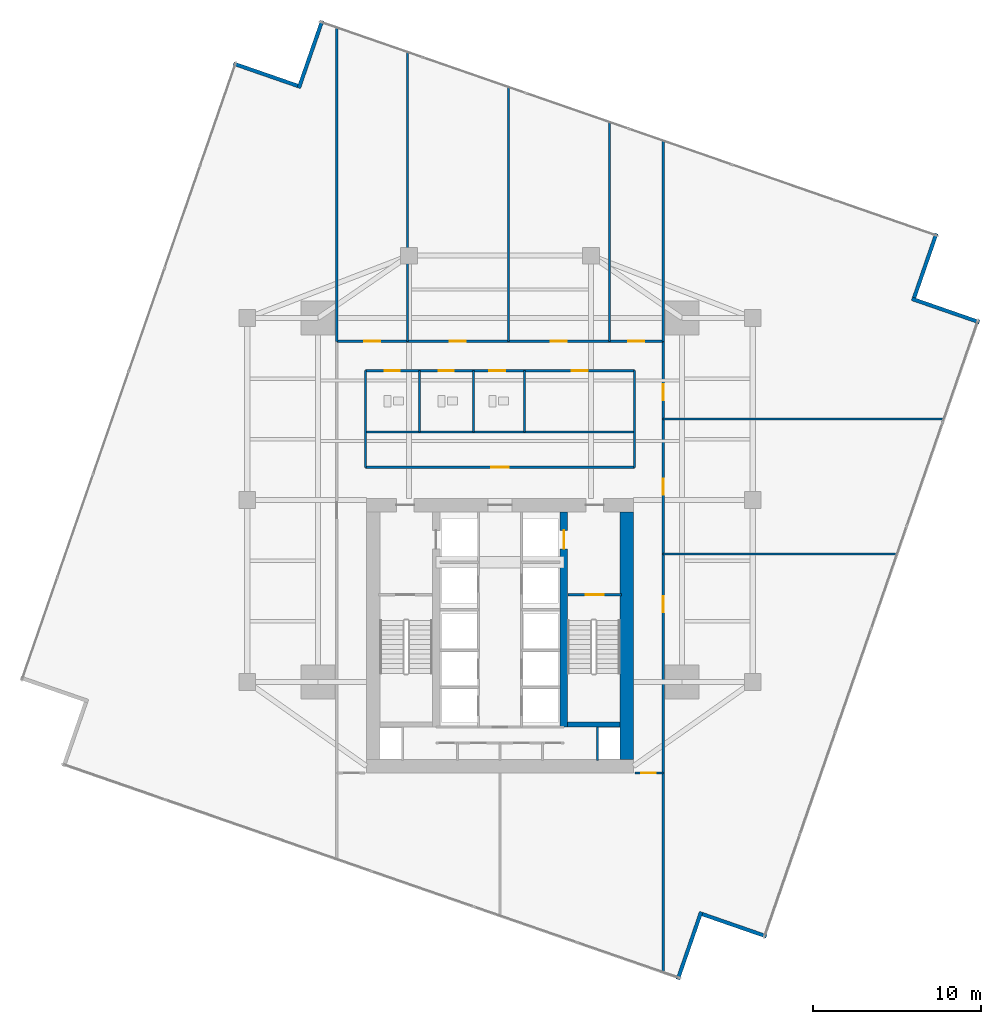
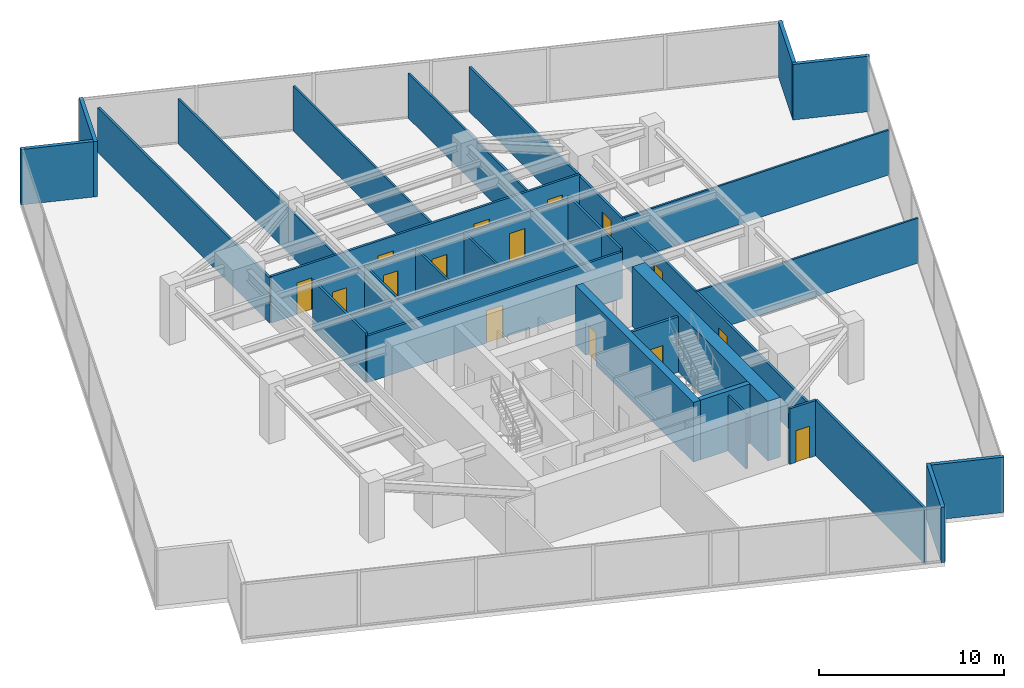
# One storey, part 24 of 27: 30 walls, 15 doors, 15 openings.
"""IFC4 building model written with IfcOpenShell, lengths in metres."""

import ifcopenshell
import ifcopenshell.guid

model = None  # the IFC model being written
_history = None  # IfcOwnerHistory: only IFC2X3 demands one
_inside = {}  # id of a spatial element -> (the spatial element, [elements in it])
_under = {}  # id of a project, library or spatial element -> (it, [spatial elements below it])
_declared = {}  # id of a project -> (the project, [libraries it declares])
_typed = {}  # id of a type object -> (the type object, [elements of that type])
_made_of = {}  # id of a material, layer set ... -> (it, [elements and type objects made of it])


def new_model(schema):
    """Start an empty IFC model of exactly this schema.

    Asked for "IFC4X3", IfcOpenShell would pick the latest addendum, in which some entities
    have other attributes; the version numbers below select the first issue.
    IFC2X3 requires an IfcOwnerHistory on every rooted entity: one is made here for all.
    """
    global model, _history
    if schema == "IFC4X3":
        model = ifcopenshell.file(schema_version=(4, 3, 0, 0))
    else:
        model = ifcopenshell.file(schema=schema)
    _inside.clear()
    _under.clear()
    _declared.clear()
    _typed.clear()
    _made_of.clear()
    _history = None
    if model.schema == "IFC2X3":
        org = make("IfcOrganization", Name="unknown")
        user = make(
            "IfcPersonAndOrganization",
            ThePerson=make("IfcPerson", FamilyName="unknown"),
            TheOrganization=org,
        )
        app = make(
            "IfcApplication",
            ApplicationDeveloper=org,
            Version="unknown",
            ApplicationFullName="unknown",
            ApplicationIdentifier="unknown",
        )
        _history = make(
            "IfcOwnerHistory",
            OwningUser=user,
            OwningApplication=app,
            ChangeAction="ADDED",
            CreationDate=0,
        )
    return model


def make(cls, **values):
    """One entity of the class cls with the attributes given. An attribute that is None is left unset."""
    return model.create_entity(
        cls, **{name: value for name, value in values.items() if value is not None}
    )


def rooted(cls, **values):
    """An entity with a GlobalId (a new one), such as an element, a storey or a relation."""
    return make(cls, GlobalId=ifcopenshell.guid.new(), OwnerHistory=_history, **values)


def si_unit(unit_type, name, prefix=None):
    """IfcSIUnit, for example si_unit("LENGTHUNIT", "METRE", prefix="MILLI")."""
    return make("IfcSIUnit", UnitType=unit_type, Prefix=prefix, Name=name)


def assignment(units):
    """IfcUnitAssignment: the units of a project."""
    return None if units is None else make("IfcUnitAssignment", Units=units)


def point(xyz):
    """IfcCartesianPoint."""
    return None if xyz is None else make("IfcCartesianPoint", Coordinates=xyz)


def direction(xyz):
    """IfcDirection."""
    return None if xyz is None else make("IfcDirection", DirectionRatios=xyz)


def frame(location, z_axis=None, x_axis=None):
    """IfcAxis2Placement3D, a coordinate frame: its origin and axes. An axis left out is left unset."""
    return make(
        "IfcAxis2Placement3D",
        Location=point(location),
        Axis=direction(z_axis),
        RefDirection=direction(x_axis),
    )


def frame_2d(location, x_axis=None):
    """IfcAxis2Placement2D, a coordinate frame in the plane: its origin and x axis."""
    return make(
        "IfcAxis2Placement2D", Location=point(location), RefDirection=direction(x_axis)
    )


def origin():
    """The frame at (0, 0, 0) with its axes left unset."""
    return frame((0.0, 0.0, 0.0))


def place(relative_to, where):
    """IfcLocalPlacement: puts the frame where relative to a parent placement (None: the world)."""
    return make(
        "IfcLocalPlacement", PlacementRelTo=relative_to, RelativePlacement=where
    )


def context(
    kind, dimensions, precision=None, world=None, true_north=None, identifier=None
):
    """IfcGeometricRepresentationContext, for example the 3D "Model" context."""
    return make(
        "IfcGeometricRepresentationContext",
        ContextIdentifier=identifier,
        ContextType=kind,
        CoordinateSpaceDimension=dimensions,
        Precision=precision,
        WorldCoordinateSystem=world,
        TrueNorth=true_north,
    )


def subcontext(parent, identifier, kind, view, scale=None):
    """IfcGeometricRepresentationSubContext, for example "Body" below "Model"."""
    return make(
        "IfcGeometricRepresentationSubContext",
        ContextIdentifier=identifier,
        ContextType=kind,
        ParentContext=parent,
        TargetScale=scale,
        TargetView=view,
    )


def project(units=None, contexts=None):
    """IfcProject with its units and contexts."""
    return rooted(
        "IfcProject",
        Name="project",
        RepresentationContexts=contexts,
        UnitsInContext=assignment(units),
    )


def spatial(cls, under=None, at=None, **own):
    """A site, building, storey or space (cls), placed at a placement, below another one or the project."""
    s = rooted(cls, ObjectPlacement=at, **own)
    if under is not None:
        _under.setdefault(under.id(), (under, []))[1].append(s)
    return s


def profile(cls, at=None, kind="AREA", **sizes):
    """A parametric profile (cls). Its sizes go by their IFC names, for example OverallWidth=200.0."""
    return make(cls, ProfileType=kind, Position=at, **sizes)


def rectangle(**sizes):
    """IfcRectangleProfileDef."""
    return profile("IfcRectangleProfileDef", **sizes)


def extrude(swept, where, along, depth):
    """IfcExtrudedAreaSolid: the profile swept, set in the frame where, extruded along a direction by depth."""
    return make(
        "IfcExtrudedAreaSolid",
        SweptArea=swept,
        Position=where,
        ExtrudedDirection=direction(along),
        Depth=depth,
    )


def shape(context_of_items, identifier, shape_type, items):
    """IfcShapeRepresentation: the items that make up one representation, for example the "Body"."""
    return make(
        "IfcShapeRepresentation",
        ContextOfItems=context_of_items,
        RepresentationIdentifier=identifier,
        RepresentationType=shape_type,
        Items=items,
    )


def material(Name=None, Category=None):
    """IfcMaterial."""
    return make("IfcMaterial", Name=Name, Category=Category)


def layer(
    of_material, thickness, ventilated=None, Name=None, Category=None, Priority=None
):
    """IfcMaterialLayer: one layer of a wall or slab, of a material (None: an air gap)."""
    return make(
        "IfcMaterialLayer",
        Material=of_material,
        LayerThickness=thickness,
        IsVentilated=ventilated,
        Name=Name,
        Category=Category,
        Priority=Priority,
    )


def layer_set(layers, Name=None):
    """IfcMaterialLayerSet."""
    return make("IfcMaterialLayerSet", MaterialLayers=layers, LayerSetName=Name)


def made_of(thing, what):
    """Note that an element or type object is made of a material, layer set ...; save() writes the relation."""
    if what is not None:
        _made_of.setdefault(what.id(), (what, []))[1].append(thing)
    return thing


def type_object(cls, material=None, **own):
    """A type object (cls), such as IfcWallType, which elements share."""
    return made_of(rooted(cls, **own), material)


def element(
    cls,
    number,
    at=None,
    inside=None,
    cuts=None,
    type_object=None,
    material=None,
    context=None,
    identifier="Body",
    shape_type=None,
    held_by="IfcProductDefinitionShape",
    body=None,
    shapes=None,
    **own,
):
    """One element of the class cls, such as IfcWall. Its Tag is "e" and its number.

    at: its placement. inside: the storey or other place that contains it. cuts: it is an
    opening in that element (IfcRelVoidsElement). A single representation is given by context,
    identifier, shape_type and body (its items); several are given by shapes. held_by: the class
    of the entity that holds the representations. save() writes the other relations.
    """
    e = rooted(cls, Tag="e%d" % number, ObjectPlacement=at, **own)
    if body is not None:
        shapes = [shape(context, identifier, shape_type, body)]
    if shapes is not None:
        e.Representation = make(held_by, Representations=shapes)
    if inside is not None:
        _inside.setdefault(inside.id(), (inside, []))[1].append(e)
    if cuts is not None:
        rooted(
            "IfcRelVoidsElement", RelatingBuildingElement=cuts, RelatedOpeningElement=e
        )
    if type_object is not None:
        _typed.setdefault(type_object.id(), (type_object, []))[1].append(e)
    return made_of(e, material)


def fill(opening, filler):
    """IfcRelFillsElement: the door or window that sits in an opening."""
    return rooted(
        "IfcRelFillsElement",
        RelatingOpeningElement=opening,
        RelatedBuildingElement=filler,
    )


def aggregate(whole, parts):
    """IfcRelAggregates: a whole, such as a stair, and the parts it consists of."""
    return rooted("IfcRelAggregates", RelatingObject=whole, RelatedObjects=parts)


def save(model, path):
    """Write the relations noted so far, then the file.

    IfcRelAggregates (storeys below a building ...), IfcRelContainedInSpatialStructure (elements
    in a storey), IfcRelDefinesByType, IfcRelAssociatesMaterial and IfcRelDeclares: one each for
    every whole, place, type object, material and project.
    """
    for whole, parts in _under.values():
        aggregate(whole, parts)
    for where, things in _inside.values():
        rooted(
            "IfcRelContainedInSpatialStructure",
            RelatedElements=things,
            RelatingStructure=where,
        )
    for kind, things in _typed.values():
        rooted("IfcRelDefinesByType", RelatedObjects=things, RelatingType=kind)
    for what, things in _made_of.values():
        rooted("IfcRelAssociatesMaterial", RelatedObjects=things, RelatingMaterial=what)
    for by, libraries in _declared.values():
        rooted("IfcRelDeclares", RelatingContext=by, RelatedDefinitions=libraries)
    model.write(path)


model = new_model("IFC4")

# Units and contexts
model_context = context("Model", 3, precision=1e-05, world=origin(), true_north=direction((0.0, 1.0)))
body_context = subcontext(model_context, "Body", "Model", "MODEL_VIEW")
ifc_project = project(units=[si_unit("LENGTHUNIT", "METRE"), si_unit("AREAUNIT", "SQUARE_METRE"), si_unit("VOLUMEUNIT", "CUBIC_METRE"), si_unit("PLANEANGLEUNIT", "RADIAN"), si_unit("MASSUNIT", "GRAM", prefix="KILO")], contexts=[model_context])

# Site, building, storey
site_placement = place(None, origin())
site = spatial("IfcSite", under=ifc_project, at=site_placement, CompositionType="ELEMENT")
building_placement = place(site_placement, origin())
building = spatial("IfcBuilding", under=site, at=building_placement, Name="Krantzveldt Concourse Tower", CompositionType="ELEMENT")
storey_placement = place(building_placement, frame((0.0, 0.0, 121.64990234375)))
storey = spatial("IfcBuildingStorey", under=building, at=storey_placement, Name="L29", CompositionType="ELEMENT", Elevation=121.64990234375)

# Walls
ifc_material_1 = material(Name="Anodised aluminium 6063-T6", Category="aluminium")
ifc_layer_1 = layer(ifc_material_1, 0.219970703125, Name="Anodised aluminium 6063-T6", Category="aluminium")
ifc_layer_set_1 = layer_set([ifc_layer_1], Name="Anodised aluminium 6063-T6 (WL-EXT-NOTCH220)")
wall_type_1 = type_object("IfcWallType", Name="WL-EXT-NOTCH220", PredefinedType="ELEMENTEDWALL", material=ifc_layer_set_1)
wall_1_placement = place(storey_placement, frame((23.99072265625, 51.28125, 0.0), z_axis=(0.0, 0.0, 1.0), x_axis=(-0.944792639593, 0.327668839181, 0.0)))
element("IfcWall", 1, at=wall_1_placement, inside=storey, type_object=wall_type_1, Name="EW-L29-NCH00", PredefinedType="ELEMENTEDWALL", context=body_context, shape_type="SweptSolid", body=[
    extrude(rectangle(XDim=4.02490234375, YDim=0.219970703125, at=frame_2d((2.012451171875, 0.0))), origin(), (0.0, 0.0, 1.0), 3.670166015625),
])
wall_2_placement = place(storey_placement, frame((46.550537109375, -1.751953125, 0.0), z_axis=(0.0, 0.0, 1.0), x_axis=(0.327661647146, 0.944795133873, 0.0)))
element("IfcWall", 2, at=wall_2_placement, inside=storey, type_object=wall_type_1, Name="EW-L29-NCH05", PredefinedType="ELEMENTEDWALL", context=body_context, shape_type="SweptSolid", body=[
    extrude(rectangle(XDim=4.244873046875, YDim=0.219970703125, at=frame_2d((2.12255859375, 0.0))), origin(), (0.0, 0.0, 1.0), 3.670166015625),
])
wall_3_placement = place(storey_placement, frame((48.00927734375, 2.11865234375, 0.0), z_axis=(0.0, 0.0, 1.0), x_axis=(0.944811416539, -0.327614693164, 0.0)))
element("IfcWall", 3, at=wall_3_placement, inside=storey, type_object=wall_type_1, Name="EW-L29-NCH06", PredefinedType="ELEMENTEDWALL", context=body_context, shape_type="SweptSolid", body=[
    extrude(rectangle(XDim=4.02490234375, YDim=0.219970703125, at=frame_2d((2.012451171875, 0.0))), origin(), (0.0, 0.0, 1.0), 3.670166015625),
])
wall_4_placement = place(storey_placement, frame((64.4521484375, 37.25048828125, 0.0), z_axis=(0.0, 0.0, 1.0), x_axis=(-0.944801308279, 0.327643843028, 0.0)))
element("IfcWall", 4, at=wall_4_placement, inside=storey, type_object=wall_type_1, Name="EW-L29-NCH08", PredefinedType="ELEMENTEDWALL", context=body_context, shape_type="SweptSolid", body=[
    extrude(rectangle(XDim=4.2451171875, YDim=0.219970703125, at=frame_2d((2.12255859375, 0.0))), origin(), (0.0, 0.0, 1.0), 3.670166015625),
])
wall_5_placement = place(storey_placement, frame((60.581298828125, 38.709228515625, 0.0), z_axis=(0.0, 0.0, 1.0), x_axis=(0.327650062068, 0.94479915158, 0.0)))
element("IfcWall", 5, at=wall_5_placement, inside=storey, type_object=wall_type_1, Name="EW-L29-NCH09", PredefinedType="ELEMENTEDWALL", context=body_context, shape_type="SweptSolid", body=[
    extrude(rectangle(XDim=4.025146484375, YDim=0.219970703125, at=frame_2d((2.0126953125, 0.0))), origin(), (0.0, 0.0, 1.0), 3.670166015625),
])
wall_6_placement = place(storey_placement, frame((25.449462890625, 55.152099609375, 0.0), z_axis=(0.0, 0.0, 1.0), x_axis=(-0.327643843028, -0.944801308279, 0.0)))
element("IfcWall", 6, at=wall_6_placement, inside=storey, type_object=wall_type_1, Name="EW-L29-NCH11", PredefinedType="ELEMENTEDWALL", context=body_context, shape_type="SweptSolid", body=[
    extrude(rectangle(XDim=4.2451171875, YDim=0.219970703125, at=frame_2d((2.12255859375, 0.0))), origin(), (0.0, 0.0, 1.0), 3.670166015625),
])
ifc_material_2 = material(Name="Fire-rated gypsum plasterboard on steel stud", Category="steel")
ifc_layer_2 = layer(ifc_material_2, 0.1201171875, Name="Fire-rated gypsum plasterboard on steel stud", Category="steel")
ifc_layer_set_2 = layer_set([ifc_layer_2], Name="Fire-rated gypsum plasterboard on steel stud (WL-PART-120)")
wall_type_2 = type_object("IfcWallType", Name="WL-PART-120", PredefinedType="PARTITIONING", material=ifc_layer_set_2)
wall_7_placement = place(storey_placement, frame((28.02001953125, 30.739990234375, 0.0), z_axis=(0.0, 0.0, 1.0), x_axis=(1.0, 0.0, 0.0)))
element("IfcWall", 7, at=wall_7_placement, inside=storey, type_object=wall_type_2, Name="WP-L29-ISLM", PredefinedType="PARTITIONING", context=body_context, shape_type="SweptSolid", body=[
    extrude(rectangle(XDim=15.9599609375, YDim=0.1201171875, at=frame_2d((7.97998046875, 0.0))), origin(), (0.0, 0.0, 1.0), 3.080078125),
])
for number, where, z_axis, x_axis, name in (
    (8, (31.219970703125, 30.739990234375, 0.0), (0.0, 0.0, 1.0), (0.0, 1.0, 0.0), "WP-L29-WCD1"),
    (9, (34.419921875, 30.739990234375, 0.0), (0.0, 0.0, 1.0), (0.0, 1.0, 0.0), "WP-L29-WCD2"),
    (10, (37.449951171875, 30.739990234375, 0.0), (0.0, 0.0, 1.0), (0.0, 1.0, 0.0), "WP-L29-WCD3"),
):
    element("IfcWall", number, at=place(storey_placement, frame(where, z_axis=z_axis, x_axis=x_axis)), inside=storey, type_object=wall_type_2, Name=name, PredefinedType="PARTITIONING", context=body_context, shape_type="SweptSolid", body=[
        extrude(rectangle(XDim=3.639892578125, YDim=0.1201171875, at=frame_2d((1.81982421875, 0.0))), origin(), (0.0, 0.0, 1.0), 3.170166015625),
    ])
wall_8_placement = place(storey_placement, frame((30.5, 36.1201171875, 0.0), z_axis=(0.0, 0.0, 1.0), x_axis=(0.0, 1.0, 0.0)))
element("IfcWall", 11, at=wall_8_placement, inside=storey, type_object=wall_type_2, Name="WP-L29-ND1", PredefinedType="PARTITIONING", context=body_context, shape_type="SweptSolid", body=[
    extrude(rectangle(XDim=17.158935546875, YDim=0.1201171875, at=frame_2d((8.57958984375, 0.0))), origin(), (0.0, 0.0, 1.0), 2.97021484375),
])
wall_9_placement = place(storey_placement, frame((36.5, 36.1201171875, 0.0), z_axis=(0.0, 0.0, 1.0), x_axis=(0.0, 1.0, 0.0)))
element("IfcWall", 12, at=wall_9_placement, inside=storey, type_object=wall_type_2, Name="WP-L29-ND2", PredefinedType="PARTITIONING", context=body_context, shape_type="SweptSolid", body=[
    extrude(rectangle(XDim=15.078125, YDim=0.1201171875, at=frame_2d((7.5390625, 0.0))), origin(), (0.0, 0.0, 1.0), 2.97021484375),
])
wall_10_placement = place(storey_placement, frame((42.5, 36.1201171875, 0.0), z_axis=(0.0, 0.0, 1.0), x_axis=(0.0, 1.0, 0.0)))
element("IfcWall", 13, at=wall_10_placement, inside=storey, type_object=wall_type_2, Name="WP-L29-ND3", PredefinedType="PARTITIONING", context=body_context, shape_type="SweptSolid", body=[
    extrude(rectangle(XDim=12.99755859375, YDim=0.1201171875, at=frame_2d((6.498779296875, 0.0))), origin(), (0.0, 0.0, 1.0), 2.97021484375),
])
wall_11_placement = place(storey_placement, frame((45.679931640625, 23.5, 0.0), z_axis=(0.0, 0.0, 1.0), x_axis=(1.0, 0.0, 0.0)))
element("IfcWall", 14, at=wall_11_placement, inside=storey, type_object=wall_type_2, Name="WP-L29-ED1", PredefinedType="PARTITIONING", context=body_context, shape_type="SweptSolid", body=[
    extrude(rectangle(XDim=13.882080078125, YDim=0.1201171875, at=frame_2d((6.94091796875, 0.0))), origin(), (0.0, 0.0, 1.0), 2.97021484375),
])
wall_12_placement = place(storey_placement, frame((45.679931640625, 31.5, 0.0), z_axis=(0.0, 0.0, 1.0), x_axis=(1.0, 0.0, 0.0)))
element("IfcWall", 15, at=wall_12_placement, inside=storey, type_object=wall_type_2, Name="WP-L29-ED2", PredefinedType="PARTITIONING", context=body_context, shape_type="SweptSolid", body=[
    extrude(rectangle(XDim=16.65625, YDim=0.1201171875, at=frame_2d((8.328125, 0.0))), origin(), (0.0, 0.0, 1.0), 2.97021484375),
])

# Wall, opening, door
ifc_layer_3 = layer(ifc_material_2, 0.139892578125, Name="Fire-rated gypsum plasterboard on steel stud", Category="steel")
ifc_layer_set_3 = layer_set([ifc_layer_3], Name="Fire-rated gypsum plasterboard on steel stud (WL-PART-140)")
wall_type_3 = type_object("IfcWallType", Name="WL-PART-140", PredefinedType="PARTITIONING", material=ifc_layer_set_3)
wall_13_placement = place(storey_placement, frame((28.02001953125, 28.639892578125, 0.0), z_axis=(0.0, 0.0, 1.0), x_axis=(1.0, 0.0, 0.0)))
wall_13 = element("IfcWall", 16, at=wall_13_placement, inside=storey, type_object=wall_type_3, Name="WP-L29-ISLS", PredefinedType="PARTITIONING", context=body_context, shape_type="SweptSolid", body=[
    extrude(rectangle(XDim=15.9599609375, YDim=0.139892578125, at=frame_2d((7.97998046875, 0.0))), origin(), (0.0, 0.0, 1.0), 3.080078125),
])
opening_1_placement = place(wall_13_placement, frame((7.455078125, 0.0, 0.0)))
opening_1 = element("IfcOpeningElement", 17, at=opening_1_placement, cuts=wall_13, Name="Opening D-IN105", PredefinedType="OPENING", context=body_context, shape_type="SweptSolid", body=[
    extrude(rectangle(XDim=1.050048828125, YDim=2.14990234375, at=frame_2d((0.52490234375, 1.074951171875))), frame((0.0, 0.080078125, 0.0), z_axis=(0.0, -1.0, 0.0), x_axis=(1.0, 0.0, 0.0)), (0.0, 0.0, 1.0), 0.159912109375),
])
ifc_material_3 = material(Name="Hardwood timber", Category="wood")
door_type_1 = type_object("IfcDoorType", Name="DR-INT-1050", OperationType="SINGLE_SWING_LEFT", PredefinedType="DOOR", material=ifc_material_3)
door_1_placement = place(opening_1_placement, origin())
door_1 = element("IfcDoor", 18, at=door_1_placement, inside=storey, type_object=door_type_1, Name="DR-L29-MIDB", OperationType="SINGLE_SWING_LEFT", OverallHeight=2.14990234375, OverallWidth=1.050048828125, PredefinedType="DOOR", context=body_context, shape_type="SweptSolid", body=[
    extrude(rectangle(XDim=1.050048828125, YDim=2.14990234375, at=frame_2d((0.52490234375, 1.074951171875))), frame((0.0, 0.02490234375, 0.0), z_axis=(0.0, -1.0, 0.0), x_axis=(1.0, 0.0, 0.0)), (0.0, 0.0, 1.0), 0.050048828125),
])
fill(opening_1, door_1)

# Wall, openings, doors
wall_14_placement = place(storey_placement, frame((28.02001953125, 34.3798828125, 0.0), z_axis=(0.0, 0.0, 1.0), x_axis=(1.0, 0.0, 0.0)))
wall_14 = element("IfcWall", 19, at=wall_14_placement, inside=storey, type_object=wall_type_3, Name="WP-L29-ISLN", PredefinedType="PARTITIONING", context=body_context, shape_type="SweptSolid", body=[
    extrude(rectangle(XDim=15.9599609375, YDim=0.139892578125, at=frame_2d((7.97998046875, 0.0))), origin(), (0.0, 0.0, 1.0), 3.080078125),
])
opening_2_placement = place(wall_14_placement, frame((1.1298828125, 0.0, 0.0)))
opening_2 = element("IfcOpeningElement", 20, at=opening_2_placement, cuts=wall_14, Name="Opening D-IN090", PredefinedType="OPENING", context=body_context, shape_type="SweptSolid", body=[
    extrude(rectangle(XDim=0.89990234375, YDim=2.10009765625, at=frame_2d((0.449951171875, 1.050048828125))), frame((0.0, 0.080078125, 0.0), z_axis=(0.0, -1.0, 0.0), x_axis=(1.0, 0.0, 0.0)), (0.0, 0.0, 1.0), 0.159912109375),
])
opening_3_placement = place(wall_14_placement, frame((4.330078125, 0.0, 0.0)))
opening_3 = element("IfcOpeningElement", 21, at=opening_3_placement, cuts=wall_14, Name="Opening D-IN090", PredefinedType="OPENING", context=body_context, shape_type="SweptSolid", body=[
    extrude(rectangle(XDim=0.89990234375, YDim=2.10009765625, at=frame_2d((0.449951171875, 1.050048828125))), frame((0.0, 0.080078125, 0.0), z_axis=(0.0, -1.0, 0.0), x_axis=(1.0, 0.0, 0.0)), (0.0, 0.0, 1.0), 0.159912109375),
])
opening_4_placement = place(wall_14_placement, frame((7.35498046875, 0.0, 0.0)))
opening_4 = element("IfcOpeningElement", 22, at=opening_4_placement, cuts=wall_14, Name="Opening D-IN095", PredefinedType="OPENING", context=body_context, shape_type="SweptSolid", body=[
    extrude(rectangle(XDim=0.949951171875, YDim=2.10009765625, at=frame_2d((0.47509765625, 1.050048828125))), frame((0.0, 0.080078125, 0.0), z_axis=(0.0, -1.0, 0.0), x_axis=(1.0, 0.0, 0.0)), (0.0, 0.0, 1.0), 0.159912109375),
])
opening_5_placement = place(wall_14_placement, frame((12.22998046875, 0.0, 0.0)))
opening_5 = element("IfcOpeningElement", 23, at=opening_5_placement, cuts=wall_14, Name="Opening D-IN095", PredefinedType="OPENING", context=body_context, shape_type="SweptSolid", body=[
    extrude(rectangle(XDim=0.949951171875, YDim=2.10009765625, at=frame_2d((0.47509765625, 1.050048828125))), frame((0.0, 0.080078125, 0.0), z_axis=(0.0, -1.0, 0.0), x_axis=(1.0, 0.0, 0.0)), (0.0, 0.0, 1.0), 0.159912109375),
])
door_type_2 = type_object("IfcDoorType", Name="DR-INT-900", OperationType="SINGLE_SWING_LEFT", PredefinedType="DOOR", material=ifc_material_3)
door_2_placement = place(opening_2_placement, origin())
door_2 = element("IfcDoor", 24, at=door_2_placement, inside=storey, type_object=door_type_2, Name="DR-L29-WCM", OperationType="SINGLE_SWING_LEFT", OverallHeight=2.10009765625, OverallWidth=0.89990234375, PredefinedType="DOOR", context=body_context, shape_type="SweptSolid", body=[
    extrude(rectangle(XDim=0.89990234375, YDim=2.10009765625, at=frame_2d((0.449951171875, 1.050048828125))), frame((0.0, 0.02490234375, 0.0), z_axis=(0.0, -1.0, 0.0), x_axis=(1.0, 0.0, 0.0)), (0.0, 0.0, 1.0), 0.050048828125),
])
fill(opening_2, door_2)
door_3_placement = place(opening_3_placement, origin())
door_3 = element("IfcDoor", 25, at=door_3_placement, inside=storey, type_object=door_type_2, Name="DR-L29-WCF", OperationType="SINGLE_SWING_RIGHT", OverallHeight=2.10009765625, OverallWidth=0.89990234375, PredefinedType="DOOR", context=body_context, shape_type="SweptSolid", body=[
    extrude(rectangle(XDim=0.89990234375, YDim=2.10009765625, at=frame_2d((0.449951171875, 1.050048828125))), frame((0.0, 0.02490234375, 0.0), z_axis=(0.0, -1.0, 0.0), x_axis=(1.0, 0.0, 0.0)), (0.0, 0.0, 1.0), 0.050048828125),
])
fill(opening_3, door_3)
door_type_3 = type_object("IfcDoorType", Name="DR-INT-950", OperationType="SINGLE_SWING_LEFT", PredefinedType="DOOR", material=ifc_material_3)
door_4_placement = place(opening_4_placement, origin())
door_4 = element("IfcDoor", 26, at=door_4_placement, inside=storey, type_object=door_type_3, Name="DR-L29-WCA", OperationType="SINGLE_SWING_LEFT", OverallHeight=2.10009765625, OverallWidth=0.949951171875, PredefinedType="DOOR", context=body_context, shape_type="SweptSolid", body=[
    extrude(rectangle(XDim=0.949951171875, YDim=2.10009765625, at=frame_2d((0.47509765625, 1.050048828125))), frame((0.0, 0.02490234375, 0.0), z_axis=(0.0, -1.0, 0.0), x_axis=(1.0, 0.0, 0.0)), (0.0, 0.0, 1.0), 0.050048828125),
])
fill(opening_4, door_4)
door_5_placement = place(opening_5_placement, origin())
door_5 = element("IfcDoor", 27, at=door_5_placement, inside=storey, type_object=door_type_3, Name="DR-L29-PNT", OperationType="SINGLE_SWING_RIGHT", OverallHeight=2.10009765625, OverallWidth=0.949951171875, PredefinedType="DOOR", context=body_context, shape_type="SweptSolid", body=[
    extrude(rectangle(XDim=0.949951171875, YDim=2.10009765625, at=frame_2d((0.47509765625, 1.050048828125))), frame((0.0, 0.02490234375, 0.0), z_axis=(0.0, -1.0, 0.0), x_axis=(1.0, 0.0, 0.0)), (0.0, 0.0, 1.0), 0.050048828125),
])
fill(opening_5, door_5)

# Walls
for number, where, z_axis, x_axis, name in (
    (28, (28.02001953125, 28.639892578125, 0.0), (0.0, 0.0, 1.0), (0.0, 1.0, 0.0), "WP-L29-ISLW"),
    (29, (43.97998046875, 28.639892578125, 0.0), (0.0, 0.0, 1.0), (0.0, 1.0, 0.0), "WP-L29-ISLE"),
):
    element("IfcWall", number, at=place(storey_placement, frame(where, z_axis=z_axis, x_axis=x_axis)), inside=storey, type_object=wall_type_3, Name=name, PredefinedType="PARTITIONING", context=body_context, shape_type="SweptSolid", body=[
        extrude(rectangle(XDim=5.739990234375, YDim=0.139892578125, at=frame_2d((2.8701171875, 0.0))), origin(), (0.0, 0.0, 1.0), 3.27001953125),
    ])

# Wall, openings, doors
wall_15_placement = place(storey_placement, frame((26.320068359375, 36.1201171875, 0.0), z_axis=(0.0, 0.0, 1.0), x_axis=(1.0, 0.0, 0.0)))
wall_15 = element("IfcWall", 30, at=wall_15_placement, inside=storey, type_object=wall_type_3, Name="WP-L29-CTOP", PredefinedType="PARTITIONING", context=body_context, shape_type="SweptSolid", body=[
    extrude(rectangle(XDim=19.35986328125, YDim=0.139892578125, at=frame_2d((9.679931640625, 0.0))), origin(), (0.0, 0.0, 1.0), 3.080078125),
])
opening_6_placement = place(wall_15_placement, frame((1.614990234375, 0.0, 0.0)))
opening_6 = element("IfcOpeningElement", 31, at=opening_6_placement, cuts=wall_15, Name="Opening D-IN095", PredefinedType="OPENING", context=body_context, shape_type="SweptSolid", body=[
    extrude(rectangle(XDim=0.949951171875, YDim=2.10009765625, at=frame_2d((0.47509765625, 1.050048828125))), frame((0.0, 0.080078125, 0.0), z_axis=(0.0, -1.0, 0.0), x_axis=(1.0, 0.0, 0.0)), (0.0, 0.0, 1.0), 0.159912109375),
])
opening_7_placement = place(wall_15_placement, frame((6.705078125, 0.0, 0.0)))
opening_7 = element("IfcOpeningElement", 32, at=opening_7_placement, cuts=wall_15, Name="Opening D-IN095", PredefinedType="OPENING", context=body_context, shape_type="SweptSolid", body=[
    extrude(rectangle(XDim=0.949951171875, YDim=2.10009765625, at=frame_2d((0.47509765625, 1.050048828125))), frame((0.0, 0.080078125, 0.0), z_axis=(0.0, -1.0, 0.0), x_axis=(1.0, 0.0, 0.0)), (0.0, 0.0, 1.0), 0.159912109375),
])
opening_8_placement = place(wall_15_placement, frame((12.705078125, 0.0, 0.0)))
opening_8 = element("IfcOpeningElement", 33, at=opening_8_placement, cuts=wall_15, Name="Opening D-IN095", PredefinedType="OPENING", context=body_context, shape_type="SweptSolid", body=[
    extrude(rectangle(XDim=0.949951171875, YDim=2.10009765625, at=frame_2d((0.47509765625, 1.050048828125))), frame((0.0, 0.080078125, 0.0), z_axis=(0.0, -1.0, 0.0), x_axis=(1.0, 0.0, 0.0)), (0.0, 0.0, 1.0), 0.159912109375),
])
opening_9_placement = place(wall_15_placement, frame((17.294921875, 0.0, 0.0)))
opening_9 = element("IfcOpeningElement", 34, at=opening_9_placement, cuts=wall_15, Name="Opening D-IN095", PredefinedType="OPENING", context=body_context, shape_type="SweptSolid", body=[
    extrude(rectangle(XDim=0.949951171875, YDim=2.10009765625, at=frame_2d((0.47509765625, 1.050048828125))), frame((0.0, 0.080078125, 0.0), z_axis=(0.0, -1.0, 0.0), x_axis=(1.0, 0.0, 0.0)), (0.0, 0.0, 1.0), 0.159912109375),
])
door_6_placement = place(opening_6_placement, origin())
door_6 = element("IfcDoor", 35, at=door_6_placement, inside=storey, type_object=door_type_3, Name="DR-L29-NR1", OperationType="SINGLE_SWING_LEFT", OverallHeight=2.10009765625, OverallWidth=0.949951171875, PredefinedType="DOOR", context=body_context, shape_type="SweptSolid", body=[
    extrude(rectangle(XDim=0.949951171875, YDim=2.10009765625, at=frame_2d((0.47509765625, 1.050048828125))), frame((0.0, 0.02490234375, 0.0), z_axis=(0.0, -1.0, 0.0), x_axis=(1.0, 0.0, 0.0)), (0.0, 0.0, 1.0), 0.050048828125),
])
fill(opening_6, door_6)
door_7_placement = place(opening_7_placement, origin())
door_7 = element("IfcDoor", 36, at=door_7_placement, inside=storey, type_object=door_type_3, Name="DR-L29-NR2", OperationType="SINGLE_SWING_LEFT", OverallHeight=2.10009765625, OverallWidth=0.949951171875, PredefinedType="DOOR", context=body_context, shape_type="SweptSolid", body=[
    extrude(rectangle(XDim=0.949951171875, YDim=2.10009765625, at=frame_2d((0.47509765625, 1.050048828125))), frame((0.0, 0.02490234375, 0.0), z_axis=(0.0, -1.0, 0.0), x_axis=(1.0, 0.0, 0.0)), (0.0, 0.0, 1.0), 0.050048828125),
])
fill(opening_7, door_7)
door_8_placement = place(opening_8_placement, origin())
door_8 = element("IfcDoor", 37, at=door_8_placement, inside=storey, type_object=door_type_3, Name="DR-L29-NR3", OperationType="SINGLE_SWING_LEFT", OverallHeight=2.10009765625, OverallWidth=0.949951171875, PredefinedType="DOOR", context=body_context, shape_type="SweptSolid", body=[
    extrude(rectangle(XDim=0.949951171875, YDim=2.10009765625, at=frame_2d((0.47509765625, 1.050048828125))), frame((0.0, 0.02490234375, 0.0), z_axis=(0.0, -1.0, 0.0), x_axis=(1.0, 0.0, 0.0)), (0.0, 0.0, 1.0), 0.050048828125),
])
fill(opening_8, door_8)
door_9_placement = place(opening_9_placement, origin())
door_9 = element("IfcDoor", 38, at=door_9_placement, inside=storey, type_object=door_type_3, Name="DR-L29-NR4", OperationType="SINGLE_SWING_LEFT", OverallHeight=2.10009765625, OverallWidth=0.949951171875, PredefinedType="DOOR", context=body_context, shape_type="SweptSolid", body=[
    extrude(rectangle(XDim=0.949951171875, YDim=2.10009765625, at=frame_2d((0.47509765625, 1.050048828125))), frame((0.0, 0.02490234375, 0.0), z_axis=(0.0, -1.0, 0.0), x_axis=(1.0, 0.0, 0.0)), (0.0, 0.0, 1.0), 0.050048828125),
])
fill(opening_9, door_9)

wall_16_placement = place(storey_placement, frame((45.679931640625, 10.5, 0.0), z_axis=(0.0, 0.0, 1.0), x_axis=(0.0, 1.0, 0.0)))
wall_16 = element("IfcWall", 39, at=wall_16_placement, inside=storey, type_object=wall_type_3, Name="WP-L29-CEAST", PredefinedType="PARTITIONING", context=body_context, shape_type="SweptSolid", body=[
    extrude(rectangle(XDim=25.6201171875, YDim=0.139892578125, at=frame_2d((12.81005859375, 0.0))), origin(), (0.0, 0.0, 1.0), 2.97021484375),
])
opening_10_placement = place(wall_16_placement, frame((9.52490234375, 0.0, 0.0)))
opening_10 = element("IfcOpeningElement", 40, at=opening_10_placement, cuts=wall_16, Name="Opening D-IN095", PredefinedType="OPENING", context=body_context, shape_type="SweptSolid", body=[
    extrude(rectangle(XDim=0.949951171875, YDim=2.10009765625, at=frame_2d((0.47509765625, 1.050048828125))), frame((0.0, 0.080078125, 0.0), z_axis=(0.0, -1.0, 0.0), x_axis=(1.0, 0.0, 0.0)), (0.0, 0.0, 1.0), 0.159912109375),
])
opening_11_placement = place(wall_16_placement, frame((16.52490234375, 0.0, 0.0)))
opening_11 = element("IfcOpeningElement", 41, at=opening_11_placement, cuts=wall_16, Name="Opening D-IN095", PredefinedType="OPENING", context=body_context, shape_type="SweptSolid", body=[
    extrude(rectangle(XDim=0.949951171875, YDim=2.10009765625, at=frame_2d((0.47509765625, 1.050048828125))), frame((0.0, 0.080078125, 0.0), z_axis=(0.0, -1.0, 0.0), x_axis=(1.0, 0.0, 0.0)), (0.0, 0.0, 1.0), 0.159912109375),
])
opening_12_placement = place(wall_16_placement, frame((22.125, 0.0, 0.0)))
opening_12 = element("IfcOpeningElement", 42, at=opening_12_placement, cuts=wall_16, Name="Opening D-IN095", PredefinedType="OPENING", context=body_context, shape_type="SweptSolid", body=[
    extrude(rectangle(XDim=0.949951171875, YDim=2.10009765625, at=frame_2d((0.47509765625, 1.050048828125))), frame((0.0, 0.080078125, 0.0), z_axis=(0.0, -1.0, 0.0), x_axis=(1.0, 0.0, 0.0)), (0.0, 0.0, 1.0), 0.159912109375),
])
door_10_placement = place(opening_10_placement, origin())
door_10 = element("IfcDoor", 43, at=door_10_placement, inside=storey, type_object=door_type_3, Name="DR-L29-ER1", OperationType="SINGLE_SWING_LEFT", OverallHeight=2.10009765625, OverallWidth=0.949951171875, PredefinedType="DOOR", context=body_context, shape_type="SweptSolid", body=[
    extrude(rectangle(XDim=0.949951171875, YDim=2.10009765625, at=frame_2d((0.47509765625, 1.050048828125))), frame((0.0, 0.02490234375, 0.0), z_axis=(0.0, -1.0, 0.0), x_axis=(1.0, 0.0, 0.0)), (0.0, 0.0, 1.0), 0.050048828125),
])
fill(opening_10, door_10)
door_11_placement = place(opening_11_placement, origin())
door_11 = element("IfcDoor", 44, at=door_11_placement, inside=storey, type_object=door_type_3, Name="DR-L29-ER2", OperationType="SINGLE_SWING_LEFT", OverallHeight=2.10009765625, OverallWidth=0.949951171875, PredefinedType="DOOR", context=body_context, shape_type="SweptSolid", body=[
    extrude(rectangle(XDim=0.949951171875, YDim=2.10009765625, at=frame_2d((0.47509765625, 1.050048828125))), frame((0.0, 0.02490234375, 0.0), z_axis=(0.0, -1.0, 0.0), x_axis=(1.0, 0.0, 0.0)), (0.0, 0.0, 1.0), 0.050048828125),
])
fill(opening_11, door_11)
door_12_placement = place(opening_12_placement, origin())
door_12 = element("IfcDoor", 45, at=door_12_placement, inside=storey, type_object=door_type_3, Name="DR-L29-ER3", OperationType="SINGLE_SWING_LEFT", OverallHeight=2.10009765625, OverallWidth=0.949951171875, PredefinedType="DOOR", context=body_context, shape_type="SweptSolid", body=[
    extrude(rectangle(XDim=0.949951171875, YDim=2.10009765625, at=frame_2d((0.47509765625, 1.050048828125))), frame((0.0, 0.02490234375, 0.0), z_axis=(0.0, -1.0, 0.0), x_axis=(1.0, 0.0, 0.0)), (0.0, 0.0, 1.0), 0.050048828125),
])
fill(opening_12, door_12)

# Wall, opening, door
wall_17_placement = place(storey_placement, frame((44.0, 10.5, 0.0), z_axis=(0.0, 0.0, 1.0), x_axis=(1.0, 0.0, 0.0)))
wall_17 = element("IfcWall", 46, at=wall_17_placement, inside=storey, type_object=wall_type_3, Name="WP-L29-CEBOT", PredefinedType="PARTITIONING", context=body_context, shape_type="SweptSolid", body=[
    extrude(rectangle(XDim=1.679931640625, YDim=0.139892578125, at=frame_2d((0.83984375, 0.0))), origin(), (0.0, 0.0, 1.0), 3.670166015625),
])
opening_13_placement = place(wall_17_placement, frame((0.385009765625, 0.0, 0.0)))
opening_13 = element("IfcOpeningElement", 47, at=opening_13_placement, cuts=wall_17, Name="Opening D-IN085", PredefinedType="OPENING", context=body_context, shape_type="SweptSolid", body=[
    extrude(rectangle(XDim=0.85009765625, YDim=2.10009765625, at=frame_2d((0.425048828125, 1.050048828125))), frame((0.0, 0.080078125, 0.0), z_axis=(0.0, -1.0, 0.0), x_axis=(1.0, 0.0, 0.0)), (0.0, 0.0, 1.0), 0.159912109375),
])
door_type_4 = type_object("IfcDoorType", Name="DR-INT-850", OperationType="SINGLE_SWING_LEFT", PredefinedType="DOOR", material=ifc_material_3)
door_13_placement = place(opening_13_placement, origin())
door_13 = element("IfcDoor", 48, at=door_13_placement, inside=storey, type_object=door_type_4, Name="DR-L29-SR2", OperationType="SINGLE_SWING_LEFT", OverallHeight=2.10009765625, OverallWidth=0.85009765625, PredefinedType="DOOR", context=body_context, shape_type="SweptSolid", body=[
    extrude(rectangle(XDim=0.85009765625, YDim=2.10009765625, at=frame_2d((0.425048828125, 1.050048828125))), frame((0.0, 0.02490234375, 0.0), z_axis=(0.0, -1.0, 0.0), x_axis=(1.0, 0.0, 0.0)), (0.0, 0.0, 1.0), 0.050048828125),
])
fill(opening_13, door_13)

# Walls
wall_18_placement = place(storey_placement, frame((26.320068359375, 36.1201171875, 0.0), z_axis=(0.0, 0.0, 1.0), x_axis=(0.0, 1.0, 0.0)))
element("IfcWall", 49, at=wall_18_placement, inside=storey, type_object=wall_type_3, Name="WP-L29-NWL", PredefinedType="PARTITIONING", context=body_context, shape_type="SweptSolid", body=[
    extrude(rectangle(XDim=18.6083984375, YDim=0.139892578125, at=frame_2d((9.30419921875, 0.0))), origin(), (0.0, 0.0, 1.0), 2.97021484375),
])
wall_19_placement = place(storey_placement, frame((45.679931640625, 36.1201171875, 0.0), z_axis=(0.0, 0.0, 1.0), x_axis=(0.0, 1.0, 0.0)))
element("IfcWall", 50, at=wall_19_placement, inside=storey, type_object=wall_type_3, Name="WP-L29-NER", PredefinedType="PARTITIONING", context=body_context, shape_type="SweptSolid", body=[
    extrude(rectangle(XDim=11.894775390625, YDim=0.139892578125, at=frame_2d((5.947265625, 0.0))), origin(), (0.0, 0.0, 1.0), 2.97021484375),
])
wall_20_placement = place(storey_placement, frame((45.679931640625, -1.32861328125, 0.0), z_axis=(0.0, 0.0, 1.0), x_axis=(0.0, 1.0, 0.0)))
element("IfcWall", 51, at=wall_20_placement, inside=storey, type_object=wall_type_3, Name="WP-L29-SER", PredefinedType="PARTITIONING", context=body_context, shape_type="SweptSolid", body=[
    extrude(rectangle(XDim=11.82861328125, YDim=0.139892578125, at=frame_2d((5.914306640625, 0.0))), origin(), (0.0, 0.0, 1.0), 3.670166015625),
])
ifc_layer_4 = layer(ifc_material_2, 0.139892578125, Name="Fire-rated gypsum plasterboard on steel stud", Category="steel")
ifc_layer_set_4 = layer_set([ifc_layer_4], Name="Fire-rated gypsum plasterboard on steel stud (WL-PART-FR140)")
wall_type_4 = type_object("IfcWallType", Name="WL-PART-FR140", PredefinedType="PARTITIONING", material=ifc_layer_set_4)
wall_21_placement = place(storey_placement, frame((41.780029296875, 11.25, 0.0), z_axis=(0.0, 0.0, 1.0), x_axis=(0.0, 1.0, 0.0)))
element("IfcWall", 52, at=wall_21_placement, inside=storey, type_object=wall_type_4, Name="WP-L29-RSE", PredefinedType="PARTITIONING", context=body_context, shape_type="SweptSolid", body=[
    extrude(rectangle(XDim=1.969970703125, YDim=0.1201171875, at=frame_2d((0.98486328125, 0.0))), origin(), (0.0, 0.0, 1.0), 3.670166015625),
])

# Wall, opening, door
ifc_layer_5 = layer(ifc_material_2, 0.159912109375, Name="Fire-rated gypsum plasterboard on steel stud", Category="steel")
ifc_layer_set_5 = layer_set([ifc_layer_5], Name="Fire-rated gypsum plasterboard on steel stud (WL-PART-FR160)")
wall_type_5 = type_object("IfcWallType", Name="WL-PART-FR160", PredefinedType="PARTITIONING", material=ifc_layer_set_5)
wall_22_placement = place(storey_placement, frame((40.0400390625, 21.080078125, 0.0), z_axis=(0.0, 0.0, 1.0), x_axis=(1.0, 0.0, 0.0)))
wall_22 = element("IfcWall", 53, at=wall_22_placement, inside=storey, type_object=wall_type_5, Name="WP-L29-ST2", PredefinedType="PARTITIONING", context=body_context, shape_type="SweptSolid", body=[
    extrude(rectangle(XDim=3.159912109375, YDim=0.159912109375, at=frame_2d((1.580078125, 0.0))), origin(), (0.0, 0.0, 1.0), 3.670166015625),
])
opening_14_placement = place(wall_22_placement, frame((1.054931640625, 0.0, 0.0)))
opening_14 = element("IfcOpeningElement", 54, at=opening_14_placement, cuts=wall_22, Name="Opening D-FD105", PredefinedType="OPENING", context=body_context, shape_type="SweptSolid", body=[
    extrude(rectangle(XDim=1.050048828125, YDim=2.10009765625, at=frame_2d((0.52490234375, 1.050048828125))), frame((0.0, 0.08984375, 0.0), z_axis=(0.0, -1.0, 0.0), x_axis=(1.0, 0.0, 0.0)), (0.0, 0.0, 1.0), 0.179931640625),
])
ifc_material_4 = material(Name="Galvanised steel", Category="steel")
door_type_5 = type_object("IfcDoorType", Name="DR-FD120-1050", OperationType="SINGLE_SWING_LEFT", PredefinedType="DOOR", material=ifc_material_4)
door_14_placement = place(opening_14_placement, origin())
door_14 = element("IfcDoor", 55, at=door_14_placement, inside=storey, type_object=door_type_5, Name="DR-L29-ST2", OperationType="SINGLE_SWING_LEFT", OverallHeight=2.10009765625, OverallWidth=1.050048828125, PredefinedType="DOOR", context=body_context, shape_type="SweptSolid", body=[
    extrude(rectangle(XDim=1.050048828125, YDim=2.10009765625, at=frame_2d((0.52490234375, 1.050048828125))), frame((0.0, 0.02490234375, 0.0), z_axis=(0.0, -1.0, 0.0), x_axis=(1.0, 0.0, 0.0)), (0.0, 0.0, 1.0), 0.050048828125),
])
fill(opening_14, door_14)

# Wall
ifc_material_5 = material(Name="Concrete C50/60", Category="concrete")
ifc_layer_6 = layer(ifc_material_5, 0.300048828125, Name="Concrete C50/60", Category="concrete")
ifc_layer_set_6 = layer_set([ifc_layer_6], Name="Concrete C50/60 (WL-SHEAR-300)")
wall_type_6 = type_object("IfcWallType", Name="WL-SHEAR-300", PredefinedType="SHEAR", material=ifc_layer_set_6)
wall_23_placement = place(storey_placement, frame((40.02001953125, 13.3701171875, 0.0), z_axis=(0.0, 0.0, 1.0), x_axis=(1.0, 0.0, 0.0)))
element("IfcWall", 56, at=wall_23_placement, inside=storey, type_object=wall_type_6, Name="CW-L29-ST2S", PredefinedType="SHEAR", context=body_context, shape_type="SweptSolid", body=[
    extrude(rectangle(XDim=3.10009765625, YDim=0.300048828125, at=frame_2d((1.550048828125, 0.0))), origin(), (0.0, 0.0, 1.0), 3.9501953125),
])

# Wall, opening, door
ifc_layer_7 = layer(ifc_material_5, 0.449951171875, Name="Concrete C50/60", Category="concrete")
ifc_layer_set_7 = layer_set([ifc_layer_7], Name="Concrete C50/60 (WL-SHEAR-450)")
wall_type_7 = type_object("IfcWallType", Name="WL-SHEAR-450", PredefinedType="SHEAR", material=ifc_layer_set_7)
wall_24_placement = place(storey_placement, frame((39.794921875, 13.219970703125, 0.0), z_axis=(0.0, 0.0, 1.0), x_axis=(0.0, 1.0, 0.0)))
wall_24 = element("IfcWall", 57, at=wall_24_placement, inside=storey, type_object=wall_type_7, Name="CW-L29-IE", PredefinedType="SHEAR", context=body_context, shape_type="SweptSolid", body=[
    extrude(rectangle(XDim=12.780029296875, YDim=0.449951171875, at=frame_2d((6.39013671875, 0.0))), origin(), (0.0, 0.0, 1.0), 3.9501953125),
])
opening_15_placement = place(wall_24_placement, frame((10.580078125, 0.0, 0.0)))
opening_15 = element("IfcOpeningElement", 58, at=opening_15_placement, cuts=wall_24, Name="Opening LD", PredefinedType="OPENING", context=body_context, shape_type="SweptSolid", body=[
    extrude(rectangle(XDim=1.10009765625, YDim=2.14990234375, at=frame_2d((0.550048828125, 1.074951171875))), frame((0.0, 0.23486328125, 0.0), z_axis=(0.0, -1.0, 0.0), x_axis=(1.0, 0.0, 0.0)), (0.0, 0.0, 1.0), 0.469970703125),
])
ifc_material_6 = material(Name="Stainless steel 316L", Category="steel")
door_type_6 = type_object("IfcDoorType", Name="DR-SLIDE-LD1100", OperationType="DOUBLE_DOOR_SLIDING", PredefinedType="DOOR", material=ifc_material_6)
door_15_placement = place(opening_15_placement, origin())
door_15 = element("IfcDoor", 59, at=door_15_placement, inside=storey, type_object=door_type_6, Name="LD-L29-FL2", OperationType="DOUBLE_DOOR_SLIDING", OverallHeight=2.14990234375, OverallWidth=1.10009765625, PredefinedType="DOOR", context=body_context, shape_type="SweptSolid", body=[
    extrude(rectangle(XDim=1.10009765625, YDim=2.14990234375, at=frame_2d((0.550048828125, 1.074951171875))), frame((0.0, 0.02490234375, 0.0), z_axis=(0.0, -1.0, 0.0), x_axis=(1.0, 0.0, 0.0)), (0.0, 0.0, 1.0), 0.050048828125),
])
fill(opening_15, door_15)

# Wall
ifc_material_7 = material(Name="Concrete C60/75", Category="concrete")
ifc_layer_8 = layer(ifc_material_7, 0.800048828125, Name="Concrete C60/75", Category="concrete")
ifc_layer_set_8 = layer_set([ifc_layer_8], Name="Concrete C60/75 (WL-SHEAR-800)")
wall_type_8 = type_object("IfcWallType", Name="WL-SHEAR-800", PredefinedType="SHEAR", material=ifc_layer_set_8)
wall_25_placement = place(storey_placement, frame((43.52001953125, 11.300048828125, 0.0), z_axis=(0.0, 0.0, 1.0), x_axis=(0.0, 1.0, 0.0)))
element("IfcWall", 60, at=wall_25_placement, inside=storey, type_object=wall_type_8, Name="CW-L29-E", PredefinedType="SHEAR", context=body_context, shape_type="SweptSolid", body=[
    extrude(rectangle(XDim=14.699951171875, YDim=0.800048828125, at=frame_2d((7.35009765625, 0.0))), origin(), (0.0, 0.0, 1.0), 3.9501953125),
])

save(model, "model.ifc")
